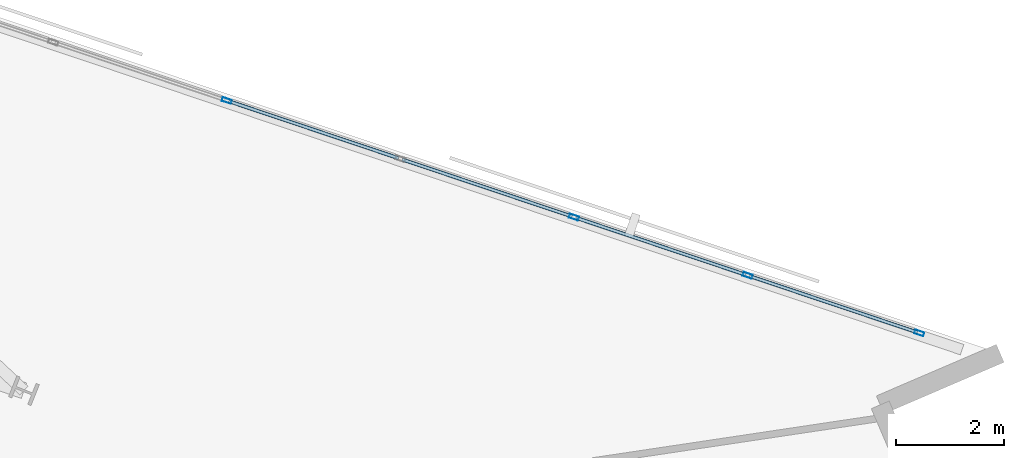
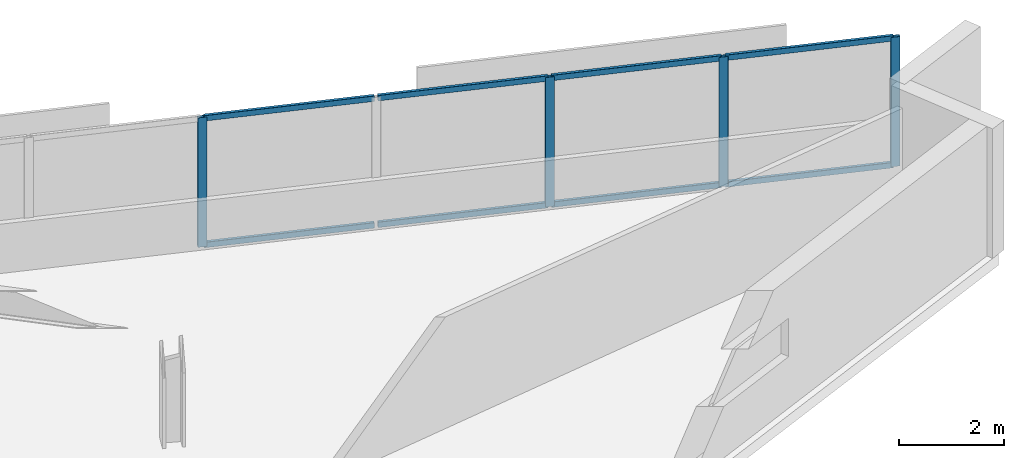
# One storey, part 5 of 14: 12 members, 1 element without a shape of its own.
"""IFC4 building model written with IfcOpenShell, lengths in metres."""

import ifcopenshell
import ifcopenshell.guid

model = None  # the IFC model being written
_history = None  # IfcOwnerHistory: only IFC2X3 demands one
_inside = {}  # id of a spatial element -> (the spatial element, [elements in it])
_under = {}  # id of a project, library or spatial element -> (it, [spatial elements below it])
_declared = {}  # id of a project -> (the project, [libraries it declares])
_typed = {}  # id of a type object -> (the type object, [elements of that type])
_made_of = {}  # id of a material, layer set ... -> (it, [elements and type objects made of it])


def new_model(schema):
    """Start an empty IFC model of exactly this schema.

    Asked for "IFC4X3", IfcOpenShell would pick the latest addendum, in which some entities
    have other attributes; the version numbers below select the first issue.
    IFC2X3 requires an IfcOwnerHistory on every rooted entity: one is made here for all.
    """
    global model, _history
    if schema == "IFC4X3":
        model = ifcopenshell.file(schema_version=(4, 3, 0, 0))
    else:
        model = ifcopenshell.file(schema=schema)
    _inside.clear()
    _under.clear()
    _declared.clear()
    _typed.clear()
    _made_of.clear()
    _history = None
    if model.schema == "IFC2X3":
        org = make("IfcOrganization", Name="unknown")
        user = make(
            "IfcPersonAndOrganization",
            ThePerson=make("IfcPerson", FamilyName="unknown"),
            TheOrganization=org,
        )
        app = make(
            "IfcApplication",
            ApplicationDeveloper=org,
            Version="unknown",
            ApplicationFullName="unknown",
            ApplicationIdentifier="unknown",
        )
        _history = make(
            "IfcOwnerHistory",
            OwningUser=user,
            OwningApplication=app,
            ChangeAction="ADDED",
            CreationDate=0,
        )
    return model


def make(cls, **values):
    """One entity of the class cls with the attributes given. An attribute that is None is left unset."""
    return model.create_entity(
        cls, **{name: value for name, value in values.items() if value is not None}
    )


def rooted(cls, **values):
    """An entity with a GlobalId (a new one), such as an element, a storey or a relation."""
    return make(cls, GlobalId=ifcopenshell.guid.new(), OwnerHistory=_history, **values)


def si_unit(unit_type, name, prefix=None):
    """IfcSIUnit, for example si_unit("LENGTHUNIT", "METRE", prefix="MILLI")."""
    return make("IfcSIUnit", UnitType=unit_type, Prefix=prefix, Name=name)


def assignment(units):
    """IfcUnitAssignment: the units of a project."""
    return None if units is None else make("IfcUnitAssignment", Units=units)


def point(xyz):
    """IfcCartesianPoint."""
    return None if xyz is None else make("IfcCartesianPoint", Coordinates=xyz)


def direction(xyz):
    """IfcDirection."""
    return None if xyz is None else make("IfcDirection", DirectionRatios=xyz)


def frame(location, z_axis=None, x_axis=None):
    """IfcAxis2Placement3D, a coordinate frame: its origin and axes. An axis left out is left unset."""
    return make(
        "IfcAxis2Placement3D",
        Location=point(location),
        Axis=direction(z_axis),
        RefDirection=direction(x_axis),
    )


def frame_2d(location, x_axis=None):
    """IfcAxis2Placement2D, a coordinate frame in the plane: its origin and x axis."""
    return make(
        "IfcAxis2Placement2D", Location=point(location), RefDirection=direction(x_axis)
    )


def origin():
    """The frame at (0, 0, 0) with its axes left unset."""
    return frame((0.0, 0.0, 0.0))


def origin_2d():
    """The frame at (0, 0) in the plane with its x axis left unset."""
    return frame_2d((0.0, 0.0))


def place(relative_to, where):
    """IfcLocalPlacement: puts the frame where relative to a parent placement (None: the world)."""
    return make(
        "IfcLocalPlacement", PlacementRelTo=relative_to, RelativePlacement=where
    )


def context(
    kind, dimensions, precision=None, world=None, true_north=None, identifier=None
):
    """IfcGeometricRepresentationContext, for example the 3D "Model" context."""
    return make(
        "IfcGeometricRepresentationContext",
        ContextIdentifier=identifier,
        ContextType=kind,
        CoordinateSpaceDimension=dimensions,
        Precision=precision,
        WorldCoordinateSystem=world,
        TrueNorth=true_north,
    )


def subcontext(parent, identifier, kind, view, scale=None):
    """IfcGeometricRepresentationSubContext, for example "Body" below "Model"."""
    return make(
        "IfcGeometricRepresentationSubContext",
        ContextIdentifier=identifier,
        ContextType=kind,
        ParentContext=parent,
        TargetScale=scale,
        TargetView=view,
    )


def project(units=None, contexts=None):
    """IfcProject with its units and contexts."""
    return rooted(
        "IfcProject",
        Name="project",
        RepresentationContexts=contexts,
        UnitsInContext=assignment(units),
    )


def spatial(cls, under=None, at=None, **own):
    """A site, building, storey or space (cls), placed at a placement, below another one or the project."""
    s = rooted(cls, ObjectPlacement=at, **own)
    if under is not None:
        _under.setdefault(under.id(), (under, []))[1].append(s)
    return s


def profile(cls, at=None, kind="AREA", **sizes):
    """A parametric profile (cls). Its sizes go by their IFC names, for example OverallWidth=200.0."""
    return make(cls, ProfileType=kind, Position=at, **sizes)


def hollow_rectangle(**sizes):
    """IfcRectangleHollowProfileDef."""
    return profile("IfcRectangleHollowProfileDef", **sizes)


def extrude(swept, where, along, depth):
    """IfcExtrudedAreaSolid: the profile swept, set in the frame where, extruded along a direction by depth."""
    return make(
        "IfcExtrudedAreaSolid",
        SweptArea=swept,
        Position=where,
        ExtrudedDirection=direction(along),
        Depth=depth,
    )


def shape(context_of_items, identifier, shape_type, items):
    """IfcShapeRepresentation: the items that make up one representation, for example the "Body"."""
    return make(
        "IfcShapeRepresentation",
        ContextOfItems=context_of_items,
        RepresentationIdentifier=identifier,
        RepresentationType=shape_type,
        Items=items,
    )


def material(Name=None, Category=None):
    """IfcMaterial."""
    return make("IfcMaterial", Name=Name, Category=Category)


def material_profile(
    of_material, cross_section, Name=None, Category=None, Priority=None
):
    """IfcMaterialProfile: a cross section and its material."""
    return make(
        "IfcMaterialProfile",
        Name=Name,
        Material=of_material,
        Profile=cross_section,
        Priority=Priority,
        Category=Category,
    )


def profile_set(profiles, Name=None, composite=None):
    """IfcMaterialProfileSet."""
    return make(
        "IfcMaterialProfileSet",
        Name=Name,
        MaterialProfiles=profiles,
        CompositeProfile=composite,
    )


def made_of(thing, what):
    """Note that an element or type object is made of a material, layer set ...; save() writes the relation."""
    if what is not None:
        _made_of.setdefault(what.id(), (what, []))[1].append(thing)
    return thing


def type_object(cls, material=None, **own):
    """A type object (cls), such as IfcWallType, which elements share."""
    return made_of(rooted(cls, **own), material)


def element(
    cls,
    number,
    at=None,
    inside=None,
    cuts=None,
    type_object=None,
    material=None,
    context=None,
    identifier="Body",
    shape_type=None,
    held_by="IfcProductDefinitionShape",
    body=None,
    shapes=None,
    **own,
):
    """One element of the class cls, such as IfcWall. Its Tag is "e" and its number.

    at: its placement. inside: the storey or other place that contains it. cuts: it is an
    opening in that element (IfcRelVoidsElement). A single representation is given by context,
    identifier, shape_type and body (its items); several are given by shapes. held_by: the class
    of the entity that holds the representations. save() writes the other relations.
    """
    e = rooted(cls, Tag="e%d" % number, ObjectPlacement=at, **own)
    if body is not None:
        shapes = [shape(context, identifier, shape_type, body)]
    if shapes is not None:
        e.Representation = make(held_by, Representations=shapes)
    if inside is not None:
        _inside.setdefault(inside.id(), (inside, []))[1].append(e)
    if cuts is not None:
        rooted(
            "IfcRelVoidsElement", RelatingBuildingElement=cuts, RelatedOpeningElement=e
        )
    if type_object is not None:
        _typed.setdefault(type_object.id(), (type_object, []))[1].append(e)
    return made_of(e, material)


def aggregate(whole, parts):
    """IfcRelAggregates: a whole, such as a stair, and the parts it consists of."""
    return rooted("IfcRelAggregates", RelatingObject=whole, RelatedObjects=parts)


def save(model, path):
    """Write the relations noted so far, then the file.

    IfcRelAggregates (storeys below a building ...), IfcRelContainedInSpatialStructure (elements
    in a storey), IfcRelDefinesByType, IfcRelAssociatesMaterial and IfcRelDeclares: one each for
    every whole, place, type object, material and project.
    """
    for whole, parts in _under.values():
        aggregate(whole, parts)
    for where, things in _inside.values():
        rooted(
            "IfcRelContainedInSpatialStructure",
            RelatedElements=things,
            RelatingStructure=where,
        )
    for kind, things in _typed.values():
        rooted("IfcRelDefinesByType", RelatedObjects=things, RelatingType=kind)
    for what, things in _made_of.values():
        rooted("IfcRelAssociatesMaterial", RelatedObjects=things, RelatingMaterial=what)
    for by, libraries in _declared.values():
        rooted("IfcRelDeclares", RelatingContext=by, RelatedDefinitions=libraries)
    model.write(path)


model = new_model("IFC4")

# Units and contexts
model_context = context("Model", 3, precision=1e-05, world=origin(), true_north=direction((0.0, 1.0)))
body_context = subcontext(model_context, "Body", "Model", "MODEL_VIEW")
ifc_project = project(units=[si_unit("LENGTHUNIT", "METRE"), si_unit("AREAUNIT", "SQUARE_METRE"), si_unit("VOLUMEUNIT", "CUBIC_METRE"), si_unit("PLANEANGLEUNIT", "RADIAN"), si_unit("MASSUNIT", "GRAM", prefix="KILO")], contexts=[model_context])

# Site, building, storey
site_placement = place(None, origin())
site = spatial("IfcSite", under=ifc_project, at=site_placement, CompositionType="ELEMENT")
building_placement = place(site_placement, origin())
building = spatial("IfcBuilding", under=site, at=building_placement, Name="Narakoshi Arena Tower", CompositionType="ELEMENT")
storey_placement = place(building_placement, frame((0.0, 0.0, 193.179931640625)))
storey = spatial("IfcBuildingStorey", under=building, at=storey_placement, Name="L52", CompositionType="ELEMENT", Elevation=193.179931640625)

# Curtain wall, members
ifc_material = material(Name="Anodised bronze aluminium 6063-T6", Category="aluminium")
curtain_wall_type = type_object("IfcCurtainWallType", Name="CW-HYP-MID", PredefinedType="NOTDEFINED", material=ifc_material)
curtain_wall_placement = place(storey_placement, origin())
curtain_wall = element("IfcCurtainWall", 1, at=curtain_wall_placement, inside=storey, type_object=curtain_wall_type, Name="L52 Folded Hypotenuse Curtain Wall 1-1", PredefinedType="NOTDEFINED")
ifc_material_profile_1 = material_profile(ifc_material, hollow_rectangle(XDim=0.074951171875, YDim=0.179931640625, WallThickness=0.00390625, OuterFilletRadius=0.0048828125, at=origin_2d()), Name="MUL180x75x4")
ifc_profile_set_1 = profile_set([ifc_material_profile_1], Name="Anodised bronze aluminium 6063-T6")
member_type_1 = type_object("IfcMemberType", Name="MEM-MUL-180", PredefinedType="MULLION", material=ifc_profile_set_1)
member_1_placement = place(storey_placement, frame((116.57080078125, 52.6513671875, 0.0), z_axis=(0.0, 0.0, 1.0), x_axis=(-0.318263454048, -0.948002306863, 0.0)))
member_1 = element("IfcMember", 2, at=member_1_placement, type_object=member_type_1, Name="CW-02 mullion 1", PredefinedType="MULLION", context=body_context, shape_type="SweptSolid", body=[
    extrude(hollow_rectangle(XDim=0.074951171875, YDim=0.179931640625, WallThickness=0.00390625, OuterFilletRadius=0.0048828125, at=origin_2d()), origin(), (0.0, 0.0, 1.0), 3.02001953125),
])
member_2_placement = place(storey_placement, frame((113.39599609375, 53.71728515625, 0.0), z_axis=(0.0, 0.0, 1.0), x_axis=(-0.318263454048, -0.948002306863, 0.0)))
member_2 = element("IfcMember", 3, at=member_2_placement, type_object=member_type_1, Name="CW-02 mullion 2", PredefinedType="MULLION", context=body_context, shape_type="SweptSolid", body=[
    extrude(hollow_rectangle(XDim=0.074951171875, YDim=0.179931640625, WallThickness=0.00390625, OuterFilletRadius=0.0048828125, at=origin_2d()), origin(), (0.0, 0.0, 1.0), 3.02001953125),
])
member_3_placement = place(storey_placement, frame((110.185546875, 54.794921875, 0.0), z_axis=(0.0, 0.0, 1.0), x_axis=(-0.318263454048, -0.948002306863, 0.0)))
member_3 = element("IfcMember", 4, at=member_3_placement, type_object=member_type_1, Name="CW-02 mullion 3", PredefinedType="MULLION", context=body_context, shape_type="SweptSolid", body=[
    extrude(hollow_rectangle(XDim=0.074951171875, YDim=0.179931640625, WallThickness=0.00390625, OuterFilletRadius=0.0048828125, at=origin_2d()), origin(), (0.0, 0.0, 1.0), 3.02001953125),
])
member_4_placement = place(storey_placement, frame((103.764892578125, 56.950439453125, 0.0), z_axis=(0.0, 0.0, 1.0), x_axis=(-0.318263454048, -0.948002306863, 0.0)))
member_4 = element("IfcMember", 5, at=member_4_placement, type_object=member_type_1, Name="CW-02 mullion 5", PredefinedType="MULLION", context=body_context, shape_type="SweptSolid", body=[
    extrude(hollow_rectangle(XDim=0.074951171875, YDim=0.179931640625, WallThickness=0.00390625, OuterFilletRadius=0.0048828125, at=origin_2d()), origin(), (0.0, 0.0, 1.0), 3.02001953125),
])
ifc_material_profile_2 = material_profile(ifc_material, hollow_rectangle(XDim=0.06494140625, YDim=0.1298828125, WallThickness=0.00390625, OuterFilletRadius=0.0048828125, at=origin_2d()), Name="TRN130x65x4")
ifc_profile_set_2 = profile_set([ifc_material_profile_2], Name="Anodised bronze aluminium 6063-T6")
member_type_2 = type_object("IfcMemberType", Name="MEM-TRN-130", PredefinedType="USERDEFINED", material=ifc_profile_set_2)
member_5_placement = place(storey_placement, frame((116.53515625, 52.663330078125, 0.032470703125), z_axis=(-0.948002531033, 0.318262786317, 0.0), x_axis=(-0.318262786317, -0.948002531033, 0.0)))
member_5 = element("IfcMember", 6, at=member_5_placement, type_object=member_type_2, Name="CW-02 transom 1.1", ObjectType="TRANSOM", PredefinedType="USERDEFINED", context=body_context, shape_type="SweptSolid", body=[
    extrude(hollow_rectangle(XDim=0.06494140625, YDim=0.1298828125, WallThickness=0.00390625, OuterFilletRadius=0.0048828125, at=origin_2d()), origin(), (0.0, 0.0, 1.0), 3.27392578125),
])
member_6_placement = place(storey_placement, frame((116.53515625, 52.663330078125, 2.987548828125), z_axis=(-0.948002531033, 0.318262786317, 0.0), x_axis=(-0.318262786317, -0.948002531033, 0.0)))
member_6 = element("IfcMember", 7, at=member_6_placement, type_object=member_type_2, Name="CW-02 transom 1.2", ObjectType="TRANSOM", PredefinedType="USERDEFINED", context=body_context, shape_type="SweptSolid", body=[
    extrude(hollow_rectangle(XDim=0.06494140625, YDim=0.1298828125, WallThickness=0.00390625, OuterFilletRadius=0.0048828125, at=origin_2d()), origin(), (0.0, 0.0, 1.0), 3.27392578125),
])
member_7_placement = place(storey_placement, frame((113.3603515625, 53.72900390625, 0.032470703125), z_axis=(-0.947995396997, 0.318284035529, 0.0), x_axis=(-0.318284035529, -0.947995396997, 0.0)))
member_7 = element("IfcMember", 8, at=member_7_placement, type_object=member_type_2, Name="CW-02 transom 2.1", ObjectType="TRANSOM", PredefinedType="USERDEFINED", context=body_context, shape_type="SweptSolid", body=[
    extrude(hollow_rectangle(XDim=0.06494140625, YDim=0.1298828125, WallThickness=0.00390625, OuterFilletRadius=0.0048828125, at=origin_2d()), origin(), (0.0, 0.0, 1.0), 3.311279296875),
])
member_8_placement = place(storey_placement, frame((113.3603515625, 53.72900390625, 2.987548828125), z_axis=(-0.947995396997, 0.318284035529, 0.0), x_axis=(-0.318284035529, -0.947995396997, 0.0)))
member_8 = element("IfcMember", 9, at=member_8_placement, type_object=member_type_2, Name="CW-02 transom 2.2", ObjectType="TRANSOM", PredefinedType="USERDEFINED", context=body_context, shape_type="SweptSolid", body=[
    extrude(hollow_rectangle(XDim=0.06494140625, YDim=0.1298828125, WallThickness=0.00390625, OuterFilletRadius=0.0048828125, at=origin_2d()), origin(), (0.0, 0.0, 1.0), 3.311279296875),
])
member_9_placement = place(storey_placement, frame((110.14990234375, 54.806884765625, 0.032470703125), z_axis=(-0.947995396997, 0.318284035529, 0.0), x_axis=(-0.318284035529, -0.947995396997, 0.0)))
member_9 = element("IfcMember", 10, at=member_9_placement, type_object=member_type_2, Name="CW-02 transom 3.1", ObjectType="TRANSOM", PredefinedType="USERDEFINED", context=body_context, shape_type="SweptSolid", body=[
    extrude(hollow_rectangle(XDim=0.06494140625, YDim=0.1298828125, WallThickness=0.00390625, OuterFilletRadius=0.0048828125, at=origin_2d()), origin(), (0.0, 0.0, 1.0), 3.311279296875),
])
member_10_placement = place(storey_placement, frame((110.14990234375, 54.806884765625, 2.987548828125), z_axis=(-0.947995396997, 0.318284035529, 0.0), x_axis=(-0.318284035529, -0.947995396997, 0.0)))
member_10 = element("IfcMember", 11, at=member_10_placement, type_object=member_type_2, Name="CW-02 transom 3.2", ObjectType="TRANSOM", PredefinedType="USERDEFINED", context=body_context, shape_type="SweptSolid", body=[
    extrude(hollow_rectangle(XDim=0.06494140625, YDim=0.1298828125, WallThickness=0.00390625, OuterFilletRadius=0.0048828125, at=origin_2d()), origin(), (0.0, 0.0, 1.0), 3.311279296875),
])
member_11_placement = place(storey_placement, frame((106.939697265625, 55.884765625, 0.032470703125), z_axis=(-0.948002865215, 0.318261790896, 0.0), x_axis=(-0.318261790896, -0.948002865215, 0.0)))
member_11 = element("IfcMember", 12, at=member_11_placement, type_object=member_type_2, Name="CW-02 transom 4.1", ObjectType="TRANSOM", PredefinedType="USERDEFINED", context=body_context, shape_type="SweptSolid", body=[
    extrude(hollow_rectangle(XDim=0.06494140625, YDim=0.1298828125, WallThickness=0.00390625, OuterFilletRadius=0.0048828125, at=origin_2d()), origin(), (0.0, 0.0, 1.0), 3.3115234375),
])
member_12_placement = place(storey_placement, frame((106.939697265625, 55.884765625, 2.987548828125), z_axis=(-0.948002865215, 0.318261790896, 0.0), x_axis=(-0.318261790896, -0.948002865215, 0.0)))
member_12 = element("IfcMember", 13, at=member_12_placement, type_object=member_type_2, Name="CW-02 transom 4.2", ObjectType="TRANSOM", PredefinedType="USERDEFINED", context=body_context, shape_type="SweptSolid", body=[
    extrude(hollow_rectangle(XDim=0.06494140625, YDim=0.1298828125, WallThickness=0.00390625, OuterFilletRadius=0.0048828125, at=origin_2d()), origin(), (0.0, 0.0, 1.0), 3.3115234375),
])
aggregate(curtain_wall, [member_1, member_2, member_3, member_4, member_5, member_6, member_7, member_8, member_9, member_10, member_11, member_12])

save(model, "model.ifc")
